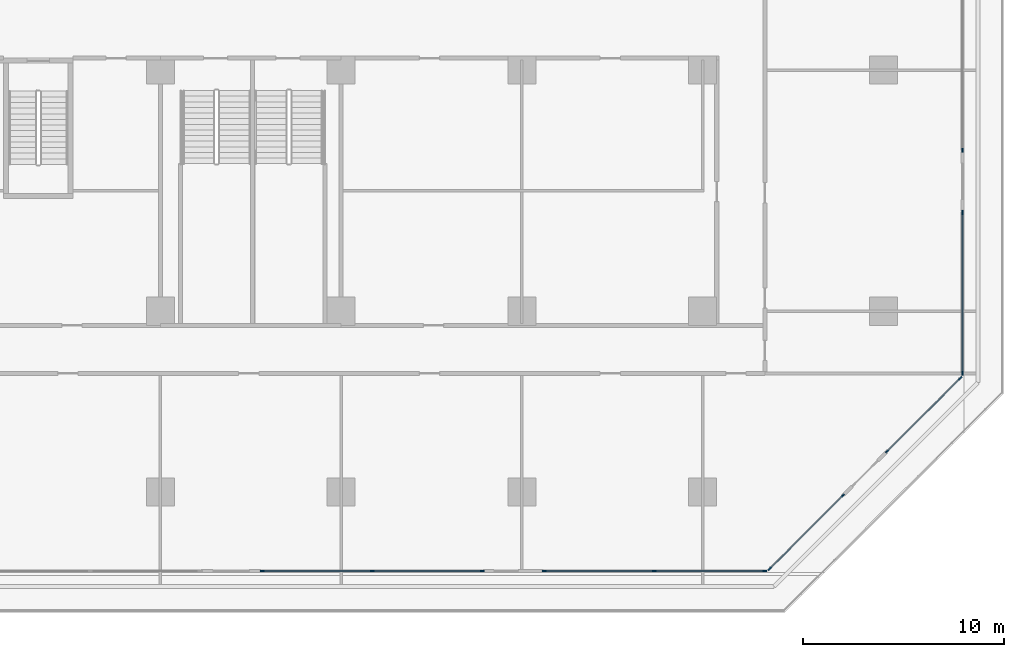
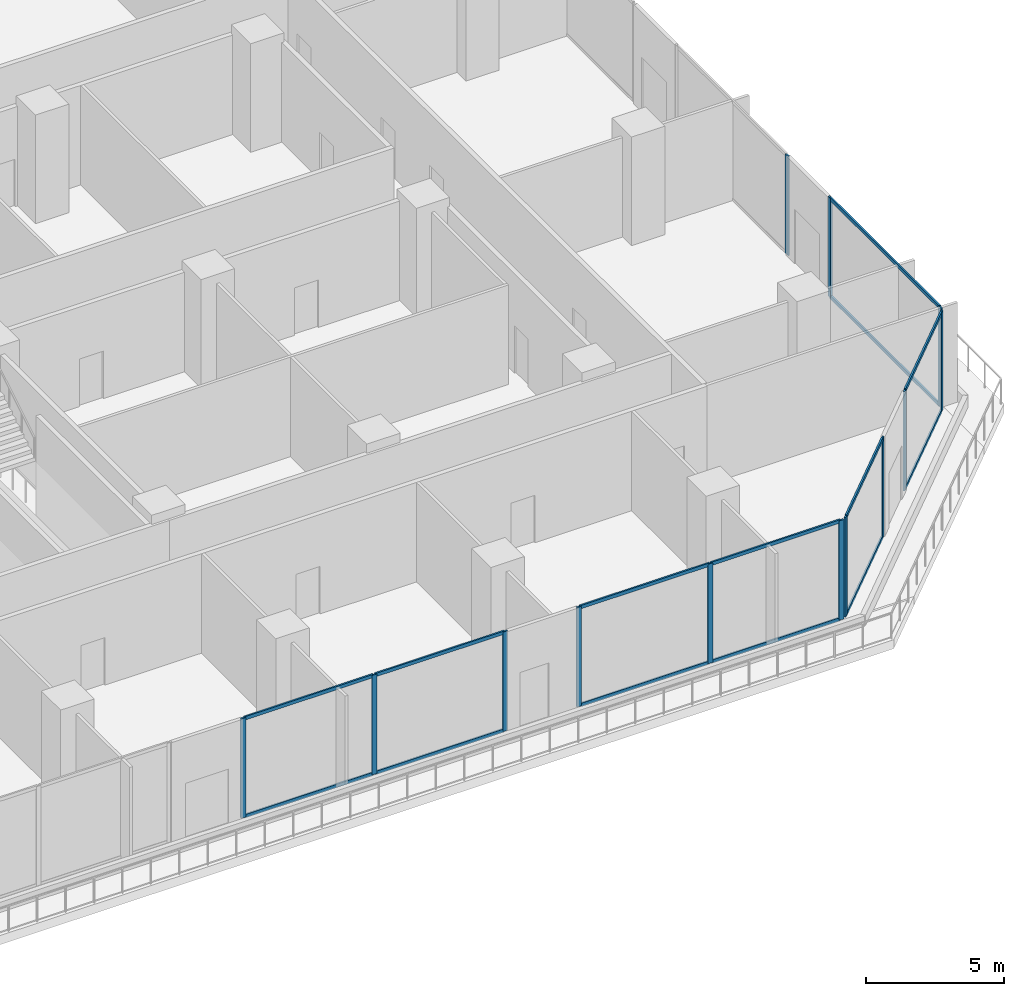
# One storey, part 7 of 31: 27 members, 6 elements without a shape of their own.
"""IFC4 building model written with IfcOpenShell, lengths in metres."""

from ifc_helpers import new_model, si_unit, direction, frame, origin, origin_2d, place, context, subcontext, project, spatial, rectangle, extrude, material, layer, layer_set, material_profile, profile_set, type_object, element, aggregate, save


model = new_model("IFC4")

# Units and contexts
model_context = context("Model", 3, precision=1e-05, world=origin(), true_north=direction((0.0, 1.0)))
body_context = subcontext(model_context, "Body", "Model", "MODEL_VIEW")
ifc_project = project(units=[si_unit("LENGTHUNIT", "METRE"), si_unit("AREAUNIT", "SQUARE_METRE"), si_unit("VOLUMEUNIT", "CUBIC_METRE"), si_unit("PLANEANGLEUNIT", "RADIAN"), si_unit("MASSUNIT", "GRAM", prefix="KILO")], contexts=[model_context])

# Site, building, storey
site_placement = place(None, origin())
site = spatial("IfcSite", under=ifc_project, at=site_placement, CompositionType="ELEMENT")
building_placement = place(site_placement, origin())
building = spatial("IfcBuilding", under=site, at=building_placement, Name="Chenar Terraces", CompositionType="ELEMENT")
storey_placement = place(building_placement, frame((0.0, 0.0, 7.199951171875)))
storey = spatial("IfcBuildingStorey", under=building, at=storey_placement, Name="L01", CompositionType="ELEMENT", Elevation=7.199951171875)

# Curtain wall, members
ifc_material_1 = material(Name="Aluminium framed glazing", Category="aluminium")
ifc_layer = layer(ifc_material_1, 0.14990234375)
ifc_layer_set = layer_set([ifc_layer], Name="Aluminium framed glazing")
curtain_wall_type = type_object("IfcCurtainWallType", Name="School curtain wall", PredefinedType="NOTDEFINED", material=ifc_layer_set)
placement = place(storey_placement, origin())
curtain_wall_1 = element("IfcCurtainWall", 1, at=placement, inside=storey, type_object=curtain_wall_type, Name="School curtain wall", PredefinedType="NOTDEFINED")
ifc_material_2 = material(Name="Aluminium", Category="aluminium")
ifc_material_profile_1 = material_profile(ifc_material_2, rectangle(XDim=0.070068359375, YDim=0.199951171875, at=origin_2d()), Name="School glazing mullion 70 x 200")
ifc_profile_set_1 = profile_set([ifc_material_profile_1], Name="Aluminium")
member_type_1 = type_object("IfcMemberType", Name="School glazing mullion 70 x 200", PredefinedType="MULLION", material=ifc_profile_set_1)
member_1_placement = place(storey_placement, frame((50.0703125, -12.925048828125, 0.0), z_axis=(0.0, 0.0, 1.0), x_axis=(0.0, 1.0, 0.0)))
member_1 = element("IfcMember", 2, at=member_1_placement, type_object=member_type_1, Name="CW2-06c3 mullion 1", PredefinedType="MULLION", context=body_context, shape_type="SweptSolid", body=[
    extrude(rectangle(XDim=0.070068359375, YDim=0.199951171875, at=origin_2d()), origin(), (0.0, 0.0, 1.0), 4.400146484375),
])
member_2_placement = place(storey_placement, frame((55.54541015625, -12.925048828125, 0.0), z_axis=(0.0, 0.0, 1.0), x_axis=(0.0, 1.0, 0.0)))
member_2 = element("IfcMember", 3, at=member_2_placement, type_object=member_type_1, Name="CW2-06c3 mullion 2", PredefinedType="MULLION", context=body_context, shape_type="SweptSolid", body=[
    extrude(rectangle(XDim=0.070068359375, YDim=0.199951171875, at=origin_2d()), origin(), (0.0, 0.0, 1.0), 4.400146484375),
])
member_3_placement = place(storey_placement, frame((61.0205078125, -12.925048828125, 0.0), z_axis=(0.0, 0.0, 1.0), x_axis=(0.0, 1.0, 0.0)))
member_3 = element("IfcMember", 4, at=member_3_placement, type_object=member_type_1, Name="CW2-06c3 mullion 3", PredefinedType="MULLION", context=body_context, shape_type="SweptSolid", body=[
    extrude(rectangle(XDim=0.070068359375, YDim=0.199951171875, at=origin_2d()), origin(), (0.0, 0.0, 1.0), 4.400146484375),
])

curtain_wall_2 = element("IfcCurtainWall", 5, at=placement, inside=storey, type_object=curtain_wall_type, Name="School curtain wall", PredefinedType="NOTDEFINED")
member_4_placement = place(storey_placement, frame((64.11572265625, -12.925048828125, 0.0), z_axis=(0.0, 0.0, 1.0), x_axis=(0.0, 1.0, 0.0)))
member_4 = element("IfcMember", 6, at=member_4_placement, type_object=member_type_1, Name="CW2-06c4 mullion 1", PredefinedType="MULLION", context=body_context, shape_type="SweptSolid", body=[
    extrude(rectangle(XDim=0.070068359375, YDim=0.199951171875, at=origin_2d()), origin(), (0.0, 0.0, 1.0), 4.400146484375),
])
member_5_placement = place(storey_placement, frame((69.59716796875, -12.925048828125, 0.0), z_axis=(0.0, 0.0, 1.0), x_axis=(0.0, 1.0, 0.0)))
member_5 = element("IfcMember", 7, at=member_5_placement, type_object=member_type_1, Name="CW2-06c4 mullion 2", PredefinedType="MULLION", context=body_context, shape_type="SweptSolid", body=[
    extrude(rectangle(XDim=0.070068359375, YDim=0.199951171875, at=origin_2d()), origin(), (0.0, 0.0, 1.0), 4.400146484375),
])
member_6_placement = place(storey_placement, frame((75.07861328125, -12.925048828125, 0.0), z_axis=(0.0, 0.0, 1.0), x_axis=(0.0, 1.0, 0.0)))
member_6 = element("IfcMember", 8, at=member_6_placement, type_object=member_type_1, Name="CW2-06c4 mullion 3", PredefinedType="MULLION", context=body_context, shape_type="SweptSolid", body=[
    extrude(rectangle(XDim=0.070068359375, YDim=0.199951171875, at=origin_2d()), origin(), (0.0, 0.0, 1.0), 4.400146484375),
])

curtain_wall_3 = element("IfcCurtainWall", 9, at=placement, inside=storey, type_object=curtain_wall_type, Name="School curtain wall", PredefinedType="NOTDEFINED")
member_7_placement = place(storey_placement, frame((75.34130859375, -12.816162109375, 0.0), z_axis=(0.0, 0.0, 1.0), x_axis=(-0.707106781187, 0.707106781187, 0.0)))
member_7 = element("IfcMember", 10, at=member_7_placement, type_object=member_type_1, Name="CW2-07c0 mullion 1", PredefinedType="MULLION", context=body_context, shape_type="SweptSolid", body=[
    extrude(rectangle(XDim=0.070068359375, YDim=0.199951171875, at=origin_2d()), origin(), (0.0, 0.0, 1.0), 4.400146484375),
])
member_8_placement = place(storey_placement, frame((78.984375, -9.1728515625, 0.0), z_axis=(0.0, 0.0, 1.0), x_axis=(-0.707106781187, 0.707106781187, 0.0)))
member_8 = element("IfcMember", 11, at=member_8_placement, type_object=member_type_1, Name="CW2-07c0 mullion 2", PredefinedType="MULLION", context=body_context, shape_type="SweptSolid", body=[
    extrude(rectangle(XDim=0.070068359375, YDim=0.199951171875, at=origin_2d()), origin(), (0.0, 0.0, 1.0), 4.400146484375),
])

curtain_wall_4 = element("IfcCurtainWall", 12, at=placement, inside=storey, type_object=curtain_wall_type, Name="School curtain wall", PredefinedType="NOTDEFINED")
member_9_placement = place(storey_placement, frame((81.1728515625, -6.984375, 0.0), z_axis=(0.0, 0.0, 1.0), x_axis=(-0.707106781187, 0.707106781187, 0.0)))
member_9 = element("IfcMember", 13, at=member_9_placement, type_object=member_type_1, Name="CW2-07c1 mullion 1", PredefinedType="MULLION", context=body_context, shape_type="SweptSolid", body=[
    extrude(rectangle(XDim=0.070068359375, YDim=0.199951171875, at=origin_2d()), origin(), (0.0, 0.0, 1.0), 4.400146484375),
])
member_10_placement = place(storey_placement, frame((84.816162109375, -3.34130859375, 0.0), z_axis=(0.0, 0.0, 1.0), x_axis=(-0.707106781187, 0.707106781187, 0.0)))
member_10 = element("IfcMember", 14, at=member_10_placement, type_object=member_type_1, Name="CW2-07c1 mullion 2", PredefinedType="MULLION", context=body_context, shape_type="SweptSolid", body=[
    extrude(rectangle(XDim=0.070068359375, YDim=0.199951171875, at=origin_2d()), origin(), (0.0, 0.0, 1.0), 4.400146484375),
])

curtain_wall_5 = element("IfcCurtainWall", 15, at=placement, inside=storey, type_object=curtain_wall_type, Name="School curtain wall", PredefinedType="NOTDEFINED")
member_11_placement = place(storey_placement, frame((84.925048828125, -3.07861328125, 0.0), z_axis=(0.0, 0.0, 1.0), x_axis=(-1.0, 0.0, 0.0)))
member_11 = element("IfcMember", 16, at=member_11_placement, type_object=member_type_1, Name="CW2-08c0 mullion 1", PredefinedType="MULLION", context=body_context, shape_type="SweptSolid", body=[
    extrude(rectangle(XDim=0.070068359375, YDim=0.199951171875, at=origin_2d()), origin(), (0.0, 0.0, 1.0), 4.400146484375),
])
member_12_placement = place(storey_placement, frame((84.925048828125, 4.91455078125, 0.0), z_axis=(0.0, 0.0, 1.0), x_axis=(-1.0, 0.0, 0.0)))
member_12 = element("IfcMember", 17, at=member_12_placement, type_object=member_type_1, Name="CW2-08c0 mullion 2", PredefinedType="MULLION", context=body_context, shape_type="SweptSolid", body=[
    extrude(rectangle(XDim=0.070068359375, YDim=0.199951171875, at=origin_2d()), origin(), (0.0, 0.0, 1.0), 4.400146484375),
])

# Curtain wall, member
curtain_wall_6 = element("IfcCurtainWall", 18, at=placement, inside=storey, type_object=curtain_wall_type, Name="School curtain wall", PredefinedType="NOTDEFINED")
member_13_placement = place(storey_placement, frame((84.925048828125, 8.009765625, 0.0), z_axis=(0.0, 0.0, 1.0), x_axis=(-1.0, 0.0, 0.0)))
member_13 = element("IfcMember", 19, at=member_13_placement, type_object=member_type_1, Name="CW2-08c1 mullion 1", PredefinedType="MULLION", context=body_context, shape_type="SweptSolid", body=[
    extrude(rectangle(XDim=0.070068359375, YDim=0.199951171875, at=origin_2d()), origin(), (0.0, 0.0, 1.0), 4.400146484375),
])
aggregate(curtain_wall_6, [member_13])

# Member
ifc_material_3 = material(Name="Aluminium", Category="aluminium")
ifc_material_profile_2 = material_profile(ifc_material_3, rectangle(XDim=0.070068359375, YDim=0.14990234375, at=origin_2d()), Name="School glazing transom 70 x 150")
ifc_profile_set_2 = profile_set([ifc_material_profile_2], Name="Aluminium")
member_type_2 = type_object("IfcMemberType", Name="School glazing transom 70 x 150", PredefinedType="USERDEFINED", material=ifc_profile_set_2)
member_14_placement = place(storey_placement, frame((50.105224609375, -12.925048828125, 0.03515625), z_axis=(1.0, 0.0, 0.0), x_axis=(0.0, 1.0, 0.0)))
member_14 = element("IfcMember", 20, at=member_14_placement, type_object=member_type_2, Name="CW2-06c3 transom 1.1", ObjectType="TRANSOM", PredefinedType="USERDEFINED", context=body_context, shape_type="SweptSolid", body=[
    extrude(rectangle(XDim=0.070068359375, YDim=0.14990234375, at=origin_2d()), origin(), (0.0, 0.0, 1.0), 5.4052734375),
])

member_15_placement = place(storey_placement, frame((50.105224609375, -12.925048828125, 4.364990234375), z_axis=(1.0, 0.0, 0.0), x_axis=(0.0, 1.0, 0.0)))
member_15 = element("IfcMember", 21, at=member_15_placement, type_object=member_type_2, Name="CW2-06c3 transom 1.2", ObjectType="TRANSOM", PredefinedType="USERDEFINED", context=body_context, shape_type="SweptSolid", body=[
    extrude(rectangle(XDim=0.070068359375, YDim=0.14990234375, at=origin_2d()), origin(), (0.0, 0.0, 1.0), 5.4052734375),
])

member_16_placement = place(storey_placement, frame((55.580322265625, -12.925048828125, 0.03515625), z_axis=(1.0, 0.0, 0.0), x_axis=(0.0, 1.0, 0.0)))
member_16 = element("IfcMember", 22, at=member_16_placement, type_object=member_type_2, Name="CW2-06c3 transom 2.1", ObjectType="TRANSOM", PredefinedType="USERDEFINED", context=body_context, shape_type="SweptSolid", body=[
    extrude(rectangle(XDim=0.070068359375, YDim=0.14990234375, at=origin_2d()), origin(), (0.0, 0.0, 1.0), 5.4052734375),
])

member_17_placement = place(storey_placement, frame((55.580322265625, -12.925048828125, 4.364990234375), z_axis=(1.0, 0.0, 0.0), x_axis=(0.0, 1.0, 0.0)))
member_17 = element("IfcMember", 23, at=member_17_placement, type_object=member_type_2, Name="CW2-06c3 transom 2.2", ObjectType="TRANSOM", PredefinedType="USERDEFINED", context=body_context, shape_type="SweptSolid", body=[
    extrude(rectangle(XDim=0.070068359375, YDim=0.14990234375, at=origin_2d()), origin(), (0.0, 0.0, 1.0), 5.4052734375),
])

aggregate(curtain_wall_1, [member_1, member_2, member_3, member_14, member_15, member_16, member_17])

member_18_placement = place(storey_placement, frame((64.150634765625, -12.925048828125, 0.03515625), z_axis=(1.0, 0.0, 0.0), x_axis=(0.0, 1.0, 0.0)))
member_18 = element("IfcMember", 24, at=member_18_placement, type_object=member_type_2, Name="CW2-06c4 transom 1.1", ObjectType="TRANSOM", PredefinedType="USERDEFINED", context=body_context, shape_type="SweptSolid", body=[
    extrude(rectangle(XDim=0.070068359375, YDim=0.14990234375, at=origin_2d()), origin(), (0.0, 0.0, 1.0), 5.411376953125),
])

member_19_placement = place(storey_placement, frame((64.150634765625, -12.925048828125, 4.364990234375), z_axis=(1.0, 0.0, 0.0), x_axis=(0.0, 1.0, 0.0)))
member_19 = element("IfcMember", 25, at=member_19_placement, type_object=member_type_2, Name="CW2-06c4 transom 1.2", ObjectType="TRANSOM", PredefinedType="USERDEFINED", context=body_context, shape_type="SweptSolid", body=[
    extrude(rectangle(XDim=0.070068359375, YDim=0.14990234375, at=origin_2d()), origin(), (0.0, 0.0, 1.0), 5.411376953125),
])

member_20_placement = place(storey_placement, frame((69.632080078125, -12.925048828125, 0.03515625), z_axis=(1.0, 0.0, 0.0), x_axis=(0.0, 1.0, 0.0)))
member_20 = element("IfcMember", 26, at=member_20_placement, type_object=member_type_2, Name="CW2-06c4 transom 2.1", ObjectType="TRANSOM", PredefinedType="USERDEFINED", context=body_context, shape_type="SweptSolid", body=[
    extrude(rectangle(XDim=0.070068359375, YDim=0.14990234375, at=origin_2d()), origin(), (0.0, 0.0, 1.0), 5.411376953125),
])

member_21_placement = place(storey_placement, frame((69.632080078125, -12.925048828125, 4.364990234375), z_axis=(1.0, 0.0, 0.0), x_axis=(0.0, 1.0, 0.0)))
member_21 = element("IfcMember", 27, at=member_21_placement, type_object=member_type_2, Name="CW2-06c4 transom 2.2", ObjectType="TRANSOM", PredefinedType="USERDEFINED", context=body_context, shape_type="SweptSolid", body=[
    extrude(rectangle(XDim=0.070068359375, YDim=0.14990234375, at=origin_2d()), origin(), (0.0, 0.0, 1.0), 5.411376953125),
])

aggregate(curtain_wall_2, [member_4, member_5, member_6, member_18, member_19, member_20, member_21])

member_22_placement = place(storey_placement, frame((75.365966796875, -12.79150390625, 0.03515625), z_axis=(0.707106781187, 0.707106781187, 0.0), x_axis=(-0.707106781187, 0.707106781187, 0.0)))
member_22 = element("IfcMember", 28, at=member_22_placement, type_object=member_type_2, Name="CW2-07c0 transom 1.1", ObjectType="TRANSOM", PredefinedType="USERDEFINED", context=body_context, shape_type="SweptSolid", body=[
    extrude(rectangle(XDim=0.070068359375, YDim=0.14990234375, at=origin_2d()), origin(), (0.0, 0.0, 1.0), 5.082275390625),
])

member_23_placement = place(storey_placement, frame((75.365966796875, -12.79150390625, 4.364990234375), z_axis=(0.707106781187, 0.707106781187, 0.0), x_axis=(-0.707106781187, 0.707106781187, 0.0)))
member_23 = element("IfcMember", 29, at=member_23_placement, type_object=member_type_2, Name="CW2-07c0 transom 1.2", ObjectType="TRANSOM", PredefinedType="USERDEFINED", context=body_context, shape_type="SweptSolid", body=[
    extrude(rectangle(XDim=0.070068359375, YDim=0.14990234375, at=origin_2d()), origin(), (0.0, 0.0, 1.0), 5.082275390625),
])

aggregate(curtain_wall_3, [member_7, member_8, member_22, member_23])

member_24_placement = place(storey_placement, frame((81.19775390625, -6.959716796875, 0.03515625), z_axis=(0.707106781187, 0.707106781187, 0.0), x_axis=(-0.707106781187, 0.707106781187, 0.0)))
member_24 = element("IfcMember", 30, at=member_24_placement, type_object=member_type_2, Name="CW2-07c1 transom 1.1", ObjectType="TRANSOM", PredefinedType="USERDEFINED", context=body_context, shape_type="SweptSolid", body=[
    extrude(rectangle(XDim=0.070068359375, YDim=0.14990234375, at=origin_2d()), origin(), (0.0, 0.0, 1.0), 5.082275390625),
])

member_25_placement = place(storey_placement, frame((81.19775390625, -6.959716796875, 4.364990234375), z_axis=(0.707106781187, 0.707106781187, 0.0), x_axis=(-0.707106781187, 0.707106781187, 0.0)))
member_25 = element("IfcMember", 31, at=member_25_placement, type_object=member_type_2, Name="CW2-07c1 transom 1.2", ObjectType="TRANSOM", PredefinedType="USERDEFINED", context=body_context, shape_type="SweptSolid", body=[
    extrude(rectangle(XDim=0.070068359375, YDim=0.14990234375, at=origin_2d()), origin(), (0.0, 0.0, 1.0), 5.082275390625),
])

aggregate(curtain_wall_4, [member_9, member_10, member_24, member_25])

member_26_placement = place(storey_placement, frame((84.925048828125, -3.04345703125, 0.03515625), z_axis=(0.0, 1.0, 0.0), x_axis=(-1.0, 0.0, 0.0)))
member_26 = element("IfcMember", 32, at=member_26_placement, type_object=member_type_2, Name="CW2-08c0 transom 1.1", ObjectType="TRANSOM", PredefinedType="USERDEFINED", context=body_context, shape_type="SweptSolid", body=[
    extrude(rectangle(XDim=0.070068359375, YDim=0.14990234375, at=origin_2d()), origin(), (0.0, 0.0, 1.0), 7.923095703125),
])

member_27_placement = place(storey_placement, frame((84.925048828125, -3.04345703125, 4.364990234375), z_axis=(0.0, 1.0, 0.0), x_axis=(-1.0, 0.0, 0.0)))
member_27 = element("IfcMember", 33, at=member_27_placement, type_object=member_type_2, Name="CW2-08c0 transom 1.2", ObjectType="TRANSOM", PredefinedType="USERDEFINED", context=body_context, shape_type="SweptSolid", body=[
    extrude(rectangle(XDim=0.070068359375, YDim=0.14990234375, at=origin_2d()), origin(), (0.0, 0.0, 1.0), 7.923095703125),
])

aggregate(curtain_wall_5, [member_11, member_12, member_26, member_27])

save(model, "model.ifc")
